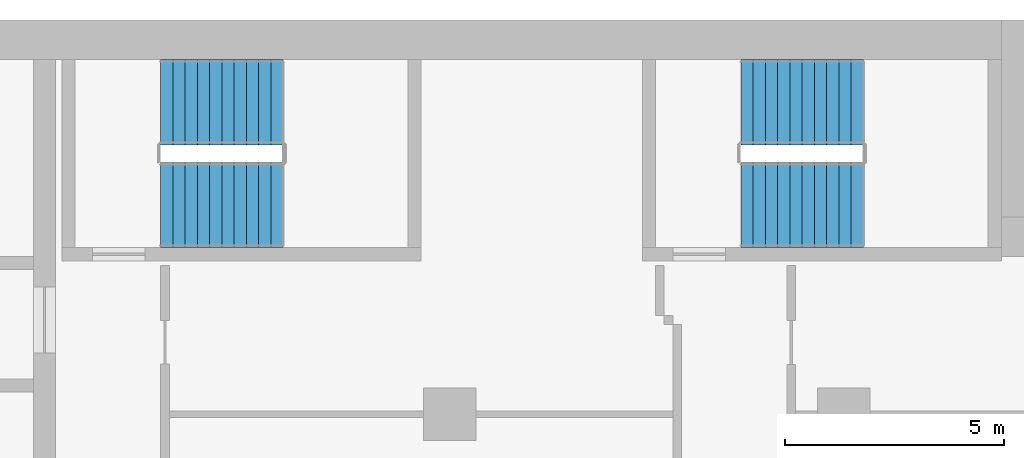
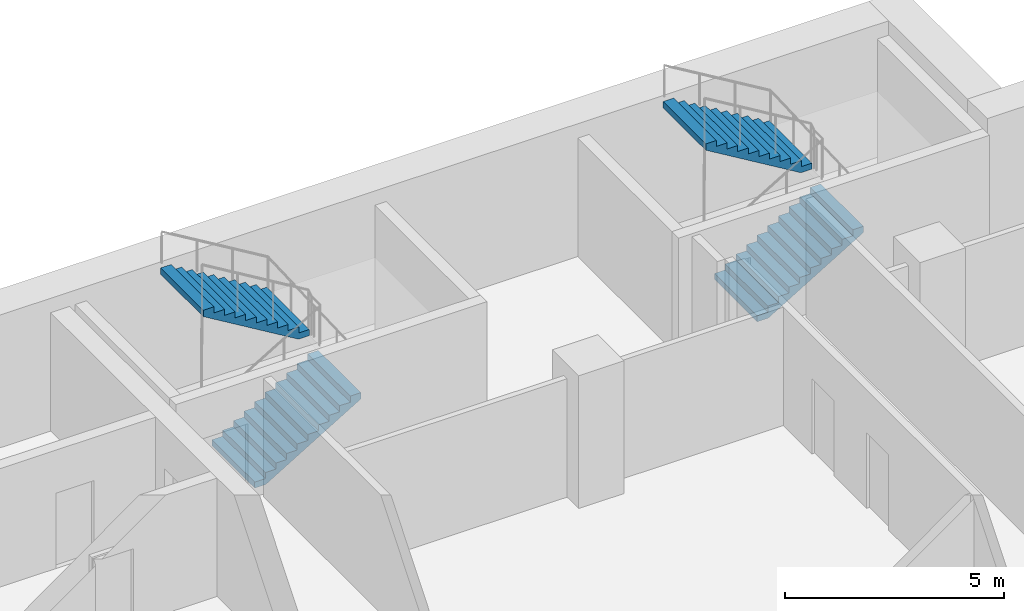
# One storey, part 18 of 23: 4 stair flights, 2 elements without a shape of their own.
"""IFC4 building model written with IfcOpenShell, lengths in metres."""

import ifcopenshell
import ifcopenshell.guid

model = None  # the IFC model being written
_history = None  # IfcOwnerHistory: only IFC2X3 demands one
_inside = {}  # id of a spatial element -> (the spatial element, [elements in it])
_under = {}  # id of a project, library or spatial element -> (it, [spatial elements below it])
_declared = {}  # id of a project -> (the project, [libraries it declares])
_typed = {}  # id of a type object -> (the type object, [elements of that type])
_made_of = {}  # id of a material, layer set ... -> (it, [elements and type objects made of it])


def new_model(schema):
    """Start an empty IFC model of exactly this schema.

    Asked for "IFC4X3", IfcOpenShell would pick the latest addendum, in which some entities
    have other attributes; the version numbers below select the first issue.
    IFC2X3 requires an IfcOwnerHistory on every rooted entity: one is made here for all.
    """
    global model, _history
    if schema == "IFC4X3":
        model = ifcopenshell.file(schema_version=(4, 3, 0, 0))
    else:
        model = ifcopenshell.file(schema=schema)
    _inside.clear()
    _under.clear()
    _declared.clear()
    _typed.clear()
    _made_of.clear()
    _history = None
    if model.schema == "IFC2X3":
        org = make("IfcOrganization", Name="unknown")
        user = make(
            "IfcPersonAndOrganization",
            ThePerson=make("IfcPerson", FamilyName="unknown"),
            TheOrganization=org,
        )
        app = make(
            "IfcApplication",
            ApplicationDeveloper=org,
            Version="unknown",
            ApplicationFullName="unknown",
            ApplicationIdentifier="unknown",
        )
        _history = make(
            "IfcOwnerHistory",
            OwningUser=user,
            OwningApplication=app,
            ChangeAction="ADDED",
            CreationDate=0,
        )
    return model


def make(cls, **values):
    """One entity of the class cls with the attributes given. An attribute that is None is left unset."""
    return model.create_entity(
        cls, **{name: value for name, value in values.items() if value is not None}
    )


def rooted(cls, **values):
    """An entity with a GlobalId (a new one), such as an element, a storey or a relation."""
    return make(cls, GlobalId=ifcopenshell.guid.new(), OwnerHistory=_history, **values)


def si_unit(unit_type, name, prefix=None):
    """IfcSIUnit, for example si_unit("LENGTHUNIT", "METRE", prefix="MILLI")."""
    return make("IfcSIUnit", UnitType=unit_type, Prefix=prefix, Name=name)


def assignment(units):
    """IfcUnitAssignment: the units of a project."""
    return None if units is None else make("IfcUnitAssignment", Units=units)


def point(xyz):
    """IfcCartesianPoint."""
    return None if xyz is None else make("IfcCartesianPoint", Coordinates=xyz)


def direction(xyz):
    """IfcDirection."""
    return None if xyz is None else make("IfcDirection", DirectionRatios=xyz)


def frame(location, z_axis=None, x_axis=None):
    """IfcAxis2Placement3D, a coordinate frame: its origin and axes. An axis left out is left unset."""
    return make(
        "IfcAxis2Placement3D",
        Location=point(location),
        Axis=direction(z_axis),
        RefDirection=direction(x_axis),
    )


def origin():
    """The frame at (0, 0, 0) with its axes left unset."""
    return frame((0.0, 0.0, 0.0))


def place(relative_to, where):
    """IfcLocalPlacement: puts the frame where relative to a parent placement (None: the world)."""
    return make(
        "IfcLocalPlacement", PlacementRelTo=relative_to, RelativePlacement=where
    )


def context(
    kind, dimensions, precision=None, world=None, true_north=None, identifier=None
):
    """IfcGeometricRepresentationContext, for example the 3D "Model" context."""
    return make(
        "IfcGeometricRepresentationContext",
        ContextIdentifier=identifier,
        ContextType=kind,
        CoordinateSpaceDimension=dimensions,
        Precision=precision,
        WorldCoordinateSystem=world,
        TrueNorth=true_north,
    )


def subcontext(parent, identifier, kind, view, scale=None):
    """IfcGeometricRepresentationSubContext, for example "Body" below "Model"."""
    return make(
        "IfcGeometricRepresentationSubContext",
        ContextIdentifier=identifier,
        ContextType=kind,
        ParentContext=parent,
        TargetScale=scale,
        TargetView=view,
    )


def project(units=None, contexts=None):
    """IfcProject with its units and contexts."""
    return rooted(
        "IfcProject",
        Name="project",
        RepresentationContexts=contexts,
        UnitsInContext=assignment(units),
    )


def spatial(cls, under=None, at=None, **own):
    """A site, building, storey or space (cls), placed at a placement, below another one or the project."""
    s = rooted(cls, ObjectPlacement=at, **own)
    if under is not None:
        _under.setdefault(under.id(), (under, []))[1].append(s)
    return s


def polyline(points):
    """IfcPolyline through the points."""
    return make("IfcPolyline", Points=[point(p) for p in points])


def outline(outer, holes=None, kind="AREA"):
    """IfcArbitraryClosedProfileDef: a profile drawn as a closed curve; with holes, ...WithVoids."""
    if holes is None:
        return make("IfcArbitraryClosedProfileDef", ProfileType=kind, OuterCurve=outer)
    return make(
        "IfcArbitraryProfileDefWithVoids",
        ProfileType=kind,
        OuterCurve=outer,
        InnerCurves=holes,
    )


def extrude(swept, where, along, depth):
    """IfcExtrudedAreaSolid: the profile swept, set in the frame where, extruded along a direction by depth."""
    return make(
        "IfcExtrudedAreaSolid",
        SweptArea=swept,
        Position=where,
        ExtrudedDirection=direction(along),
        Depth=depth,
    )


def shape(context_of_items, identifier, shape_type, items):
    """IfcShapeRepresentation: the items that make up one representation, for example the "Body"."""
    return make(
        "IfcShapeRepresentation",
        ContextOfItems=context_of_items,
        RepresentationIdentifier=identifier,
        RepresentationType=shape_type,
        Items=items,
    )


def material(Name=None, Category=None):
    """IfcMaterial."""
    return make("IfcMaterial", Name=Name, Category=Category)


def made_of(thing, what):
    """Note that an element or type object is made of a material, layer set ...; save() writes the relation."""
    if what is not None:
        _made_of.setdefault(what.id(), (what, []))[1].append(thing)
    return thing


def type_object(cls, material=None, **own):
    """A type object (cls), such as IfcWallType, which elements share."""
    return made_of(rooted(cls, **own), material)


def element(
    cls,
    number,
    at=None,
    inside=None,
    cuts=None,
    type_object=None,
    material=None,
    context=None,
    identifier="Body",
    shape_type=None,
    held_by="IfcProductDefinitionShape",
    body=None,
    shapes=None,
    **own,
):
    """One element of the class cls, such as IfcWall. Its Tag is "e" and its number.

    at: its placement. inside: the storey or other place that contains it. cuts: it is an
    opening in that element (IfcRelVoidsElement). A single representation is given by context,
    identifier, shape_type and body (its items); several are given by shapes. held_by: the class
    of the entity that holds the representations. save() writes the other relations.
    """
    e = rooted(cls, Tag="e%d" % number, ObjectPlacement=at, **own)
    if body is not None:
        shapes = [shape(context, identifier, shape_type, body)]
    if shapes is not None:
        e.Representation = make(held_by, Representations=shapes)
    if inside is not None:
        _inside.setdefault(inside.id(), (inside, []))[1].append(e)
    if cuts is not None:
        rooted(
            "IfcRelVoidsElement", RelatingBuildingElement=cuts, RelatedOpeningElement=e
        )
    if type_object is not None:
        _typed.setdefault(type_object.id(), (type_object, []))[1].append(e)
    return made_of(e, material)


def aggregate(whole, parts):
    """IfcRelAggregates: a whole, such as a stair, and the parts it consists of."""
    return rooted("IfcRelAggregates", RelatingObject=whole, RelatedObjects=parts)


def save(model, path):
    """Write the relations noted so far, then the file.

    IfcRelAggregates (storeys below a building ...), IfcRelContainedInSpatialStructure (elements
    in a storey), IfcRelDefinesByType, IfcRelAssociatesMaterial and IfcRelDeclares: one each for
    every whole, place, type object, material and project.
    """
    for whole, parts in _under.values():
        aggregate(whole, parts)
    for where, things in _inside.values():
        rooted(
            "IfcRelContainedInSpatialStructure",
            RelatedElements=things,
            RelatingStructure=where,
        )
    for kind, things in _typed.values():
        rooted("IfcRelDefinesByType", RelatedObjects=things, RelatingType=kind)
    for what, things in _made_of.values():
        rooted("IfcRelAssociatesMaterial", RelatedObjects=things, RelatingMaterial=what)
    for by, libraries in _declared.values():
        rooted("IfcRelDeclares", RelatingContext=by, RelatedDefinitions=libraries)
    model.write(path)


model = new_model("IFC4")

# Units and contexts
model_context = context("Model", 3, precision=1e-05, world=origin(), true_north=direction((0.0, 1.0)))
body_context = subcontext(model_context, "Body", "Model", "MODEL_VIEW")
ifc_project = project(units=[si_unit("LENGTHUNIT", "METRE"), si_unit("AREAUNIT", "SQUARE_METRE"), si_unit("VOLUMEUNIT", "CUBIC_METRE"), si_unit("PLANEANGLEUNIT", "RADIAN"), si_unit("MASSUNIT", "GRAM", prefix="KILO")], contexts=[model_context])

# Site, building, storey
site_placement = place(None, origin())
site = spatial("IfcSite", under=ifc_project, at=site_placement, CompositionType="ELEMENT")
building_placement = place(site_placement, origin())
building = spatial("IfcBuilding", under=site, at=building_placement, Name="Hunhe Ridgeline Campus", CompositionType="ELEMENT")
storey_placement = place(building_placement, frame((0.0, 0.0, 144.89990234375)))
storey = spatial("IfcBuildingStorey", under=building, at=storey_placement, Name="L36", CompositionType="ELEMENT", Elevation=144.89990234375)

# Stair, stair flights
ifc_material = material(Name="Concrete C40", Category="concrete")
stair_type = type_object("IfcStairType", Name="Reinforced concrete dog-leg stair 1950 Concrete C40", PredefinedType="HALF_TURN_STAIR", material=ifc_material)
stair_1_placement = place(storey_placement, origin())
stair_1 = element("IfcStair", 1, at=stair_1_placement, inside=storey, type_object=stair_type, Name="L36 E1", PredefinedType="HALF_TURN_STAIR")
stair_flight_type = type_object("IfcStairFlightType", Name="Reinforced concrete stair flight 1950 Concrete C40", PredefinedType="STRAIGHT", material=ifc_material)
stair_flight_1_placement = place(storey_placement, frame((38.39990234375, 94.77490234375, 0.0), z_axis=(0.0, 0.0, 1.0), x_axis=(1.0, 0.0, 0.0)))
stair_flight_1 = element("IfcStairFlight", 2, at=stair_flight_1_placement, type_object=stair_flight_type, Name="ST5 flight 1", NumberOfRisers=11, NumberOfTreads=10, PredefinedType="STRAIGHT", RiserHeight=0.168181818, TreadLength=0.28, context=body_context, shape_type="SweptSolid", body=[
    extrude(outline(polyline([(0.0, 0.0), (0.0, 0.168212890625), (0.280029296875, 0.168212890625), (0.280029296875, 0.33642578125), (0.56005859375, 0.33642578125), (0.56005859375, 0.504638671875), (0.840087890625, 0.504638671875), (0.840087890625, 0.672607421875), (1.1201171875, 0.672607421875), (1.1201171875, 0.8408203125), (1.39990234375, 0.8408203125), (1.39990234375, 1.009033203125), (1.679931640625, 1.009033203125), (1.679931640625, 1.17724609375), (1.9599609375, 1.17724609375), (1.9599609375, 1.345458984375), (2.239990234375, 1.345458984375), (2.239990234375, 1.513671875), (2.52001953125, 1.513671875), (2.52001953125, 1.681884765625), (2.800048828125, 1.681884765625), (2.800048828125, 1.85009765625), (2.800048828125, 1.5068359375), (0.291015625, 0.0), (0.0, 0.0)])), frame((0.0, 0.97509765625, 0.0), z_axis=(0.0, -1.0, 0.0), x_axis=(1.0, 0.0, 0.0)), (0.0, 0.0, 1.0), 1.949951171875),
    extrude(outline(polyline([(0.030029296875, 0.030029296875), (0.030029296875, 0.13818359375), (0.31005859375, 0.13818359375), (0.31005859375, 0.306396484375), (0.590087890625, 0.306396484375), (0.590087890625, 0.474609375), (0.8701171875, 0.474609375), (0.8701171875, 0.642578125), (1.14990234375, 0.642578125), (1.14990234375, 0.810791015625), (1.429931640625, 0.810791015625), (1.429931640625, 0.97900390625), (1.7099609375, 0.97900390625), (1.7099609375, 1.147216796875), (1.989990234375, 1.147216796875), (1.989990234375, 1.3154296875), (2.27001953125, 1.3154296875), (2.27001953125, 1.483642578125), (2.550048828125, 1.483642578125), (2.550048828125, 1.65185546875), (2.77001953125, 1.65185546875), (2.77001953125, 1.52392578125), (0.28271484375, 0.030029296875), (0.030029296875, 0.030029296875)])), frame((0.0, -0.070068359375, 0.0), z_axis=(0.0, -1.0, 0.0), x_axis=(1.0, 0.0, 0.0)), (0.0, 0.0, 1.0), 0.019775390625),
    extrude(outline(polyline([(0.030029296875, 0.030029296875), (0.030029296875, 0.13818359375), (0.31005859375, 0.13818359375), (0.31005859375, 0.306396484375), (0.590087890625, 0.306396484375), (0.590087890625, 0.474609375), (0.8701171875, 0.474609375), (0.8701171875, 0.642578125), (1.14990234375, 0.642578125), (1.14990234375, 0.810791015625), (1.429931640625, 0.810791015625), (1.429931640625, 0.97900390625), (1.7099609375, 0.97900390625), (1.7099609375, 1.147216796875), (1.989990234375, 1.147216796875), (1.989990234375, 1.3154296875), (2.27001953125, 1.3154296875), (2.27001953125, 1.483642578125), (2.550048828125, 1.483642578125), (2.550048828125, 1.65185546875), (2.77001953125, 1.65185546875), (2.77001953125, 1.52392578125), (0.28271484375, 0.030029296875), (0.030029296875, 0.030029296875)])), frame((0.0, 0.010009765625, 0.0), z_axis=(0.0, -1.0, 0.0), x_axis=(1.0, 0.0, 0.0)), (0.0, 0.0, 1.0), 0.019775390625),
    extrude(outline(polyline([(0.030029296875, 0.030029296875), (0.030029296875, 0.13818359375), (0.31005859375, 0.13818359375), (0.31005859375, 0.306396484375), (0.590087890625, 0.306396484375), (0.590087890625, 0.474609375), (0.8701171875, 0.474609375), (0.8701171875, 0.642578125), (1.14990234375, 0.642578125), (1.14990234375, 0.810791015625), (1.429931640625, 0.810791015625), (1.429931640625, 0.97900390625), (1.7099609375, 0.97900390625), (1.7099609375, 1.147216796875), (1.989990234375, 1.147216796875), (1.989990234375, 1.3154296875), (2.27001953125, 1.3154296875), (2.27001953125, 1.483642578125), (2.550048828125, 1.483642578125), (2.550048828125, 1.65185546875), (2.77001953125, 1.65185546875), (2.77001953125, 1.52392578125), (0.28271484375, 0.030029296875), (0.030029296875, 0.030029296875)])), frame((0.0, 0.090087890625, 0.0), z_axis=(0.0, -1.0, 0.0), x_axis=(1.0, 0.0, 0.0)), (0.0, 0.0, 1.0), 0.019775390625),
])
stair_flight_2_placement = place(storey_placement, frame((41.199951171875, 97.125, 1.85009765625), z_axis=(0.0, 0.0, 1.0), x_axis=(-1.0, 0.0, 0.0)))
stair_flight_2 = element("IfcStairFlight", 3, at=stair_flight_2_placement, type_object=stair_flight_type, Name="ST5 flight 2", NumberOfRisers=11, NumberOfTreads=10, PredefinedType="STRAIGHT", RiserHeight=0.168181818, TreadLength=0.28, context=body_context, shape_type="SweptSolid", body=[
    extrude(outline(polyline([(0.0, 0.0), (0.0, 0.168212890625), (0.280029296875, 0.168212890625), (0.280029296875, 0.33642578125), (0.56005859375, 0.33642578125), (0.56005859375, 0.504638671875), (0.840087890625, 0.504638671875), (0.840087890625, 0.672607421875), (1.1201171875, 0.672607421875), (1.1201171875, 0.8408203125), (1.39990234375, 0.8408203125), (1.39990234375, 1.009033203125), (1.679931640625, 1.009033203125), (1.679931640625, 1.17724609375), (1.9599609375, 1.17724609375), (1.9599609375, 1.345458984375), (2.239990234375, 1.345458984375), (2.239990234375, 1.513671875), (2.52001953125, 1.513671875), (2.52001953125, 1.681884765625), (2.800048828125, 1.681884765625), (2.800048828125, 1.85009765625), (2.800048828125, 1.5068359375), (0.291015625, 0.0), (0.0, 0.0)])), frame((0.0, 0.97509765625, 0.0), z_axis=(0.0, -1.0, 0.0), x_axis=(1.0, 0.0, 0.0)), (0.0, 0.0, 1.0), 1.949951171875),
    extrude(outline(polyline([(0.030029296875, 0.030029296875), (0.030029296875, 0.13818359375), (0.31005859375, 0.13818359375), (0.31005859375, 0.306396484375), (0.590087890625, 0.306396484375), (0.590087890625, 0.474609375), (0.8701171875, 0.474609375), (0.8701171875, 0.642578125), (1.14990234375, 0.642578125), (1.14990234375, 0.810791015625), (1.429931640625, 0.810791015625), (1.429931640625, 0.97900390625), (1.7099609375, 0.97900390625), (1.7099609375, 1.147216796875), (1.989990234375, 1.147216796875), (1.989990234375, 1.3154296875), (2.27001953125, 1.3154296875), (2.27001953125, 1.483642578125), (2.550048828125, 1.483642578125), (2.550048828125, 1.65185546875), (2.77001953125, 1.65185546875), (2.77001953125, 1.52392578125), (0.28271484375, 0.030029296875), (0.030029296875, 0.030029296875)])), frame((0.0, -0.070068359375, 0.0), z_axis=(0.0, -1.0, 0.0), x_axis=(1.0, 0.0, 0.0)), (0.0, 0.0, 1.0), 0.019775390625),
    extrude(outline(polyline([(0.030029296875, 0.030029296875), (0.030029296875, 0.13818359375), (0.31005859375, 0.13818359375), (0.31005859375, 0.306396484375), (0.590087890625, 0.306396484375), (0.590087890625, 0.474609375), (0.8701171875, 0.474609375), (0.8701171875, 0.642578125), (1.14990234375, 0.642578125), (1.14990234375, 0.810791015625), (1.429931640625, 0.810791015625), (1.429931640625, 0.97900390625), (1.7099609375, 0.97900390625), (1.7099609375, 1.147216796875), (1.989990234375, 1.147216796875), (1.989990234375, 1.3154296875), (2.27001953125, 1.3154296875), (2.27001953125, 1.483642578125), (2.550048828125, 1.483642578125), (2.550048828125, 1.65185546875), (2.77001953125, 1.65185546875), (2.77001953125, 1.52392578125), (0.28271484375, 0.030029296875), (0.030029296875, 0.030029296875)])), frame((0.0, 0.010009765625, 0.0), z_axis=(0.0, -1.0, 0.0), x_axis=(1.0, 0.0, 0.0)), (0.0, 0.0, 1.0), 0.019775390625),
    extrude(outline(polyline([(0.030029296875, 0.030029296875), (0.030029296875, 0.13818359375), (0.31005859375, 0.13818359375), (0.31005859375, 0.306396484375), (0.590087890625, 0.306396484375), (0.590087890625, 0.474609375), (0.8701171875, 0.474609375), (0.8701171875, 0.642578125), (1.14990234375, 0.642578125), (1.14990234375, 0.810791015625), (1.429931640625, 0.810791015625), (1.429931640625, 0.97900390625), (1.7099609375, 0.97900390625), (1.7099609375, 1.147216796875), (1.989990234375, 1.147216796875), (1.989990234375, 1.3154296875), (2.27001953125, 1.3154296875), (2.27001953125, 1.483642578125), (2.550048828125, 1.483642578125), (2.550048828125, 1.65185546875), (2.77001953125, 1.65185546875), (2.77001953125, 1.52392578125), (0.28271484375, 0.030029296875), (0.030029296875, 0.030029296875)])), frame((0.0, 0.090087890625, 0.0), z_axis=(0.0, -1.0, 0.0), x_axis=(1.0, 0.0, 0.0)), (0.0, 0.0, 1.0), 0.019775390625),
])
aggregate(stair_1, [stair_flight_1, stair_flight_2])

stair_2_placement = place(storey_placement, origin())
stair_2 = element("IfcStair", 4, at=stair_2_placement, inside=storey, type_object=stair_type, Name="L36 E2", PredefinedType="HALF_TURN_STAIR")
stair_flight_3_placement = place(storey_placement, frame((51.64990234375, 94.77490234375, 0.0), z_axis=(0.0, 0.0, 1.0), x_axis=(1.0, 0.0, 0.0)))
stair_flight_3 = element("IfcStairFlight", 5, at=stair_flight_3_placement, type_object=stair_flight_type, Name="ST6 flight 1", NumberOfRisers=11, NumberOfTreads=10, PredefinedType="STRAIGHT", RiserHeight=0.168181818, TreadLength=0.28, context=body_context, shape_type="SweptSolid", body=[
    extrude(outline(polyline([(0.0, 0.0), (0.0, 0.168212890625), (0.280029296875, 0.168212890625), (0.280029296875, 0.33642578125), (0.56005859375, 0.33642578125), (0.56005859375, 0.504638671875), (0.840087890625, 0.504638671875), (0.840087890625, 0.672607421875), (1.1201171875, 0.672607421875), (1.1201171875, 0.8408203125), (1.39990234375, 0.8408203125), (1.39990234375, 1.009033203125), (1.679931640625, 1.009033203125), (1.679931640625, 1.17724609375), (1.9599609375, 1.17724609375), (1.9599609375, 1.345458984375), (2.239990234375, 1.345458984375), (2.239990234375, 1.513671875), (2.52001953125, 1.513671875), (2.52001953125, 1.681884765625), (2.800048828125, 1.681884765625), (2.800048828125, 1.85009765625), (2.800048828125, 1.5068359375), (0.291015625, 0.0), (0.0, 0.0)])), frame((0.0, 0.97509765625, 0.0), z_axis=(0.0, -1.0, 0.0), x_axis=(1.0, 0.0, 0.0)), (0.0, 0.0, 1.0), 1.949951171875),
    extrude(outline(polyline([(0.030029296875, 0.030029296875), (0.030029296875, 0.13818359375), (0.31005859375, 0.13818359375), (0.31005859375, 0.306396484375), (0.590087890625, 0.306396484375), (0.590087890625, 0.474609375), (0.8701171875, 0.474609375), (0.8701171875, 0.642578125), (1.14990234375, 0.642578125), (1.14990234375, 0.810791015625), (1.429931640625, 0.810791015625), (1.429931640625, 0.97900390625), (1.7099609375, 0.97900390625), (1.7099609375, 1.147216796875), (1.989990234375, 1.147216796875), (1.989990234375, 1.3154296875), (2.27001953125, 1.3154296875), (2.27001953125, 1.483642578125), (2.550048828125, 1.483642578125), (2.550048828125, 1.65185546875), (2.77001953125, 1.65185546875), (2.77001953125, 1.52392578125), (0.28271484375, 0.030029296875), (0.030029296875, 0.030029296875)])), frame((0.0, -0.070068359375, 0.0), z_axis=(0.0, -1.0, 0.0), x_axis=(1.0, 0.0, 0.0)), (0.0, 0.0, 1.0), 0.019775390625),
    extrude(outline(polyline([(0.030029296875, 0.030029296875), (0.030029296875, 0.13818359375), (0.31005859375, 0.13818359375), (0.31005859375, 0.306396484375), (0.590087890625, 0.306396484375), (0.590087890625, 0.474609375), (0.8701171875, 0.474609375), (0.8701171875, 0.642578125), (1.14990234375, 0.642578125), (1.14990234375, 0.810791015625), (1.429931640625, 0.810791015625), (1.429931640625, 0.97900390625), (1.7099609375, 0.97900390625), (1.7099609375, 1.147216796875), (1.989990234375, 1.147216796875), (1.989990234375, 1.3154296875), (2.27001953125, 1.3154296875), (2.27001953125, 1.483642578125), (2.550048828125, 1.483642578125), (2.550048828125, 1.65185546875), (2.77001953125, 1.65185546875), (2.77001953125, 1.52392578125), (0.28271484375, 0.030029296875), (0.030029296875, 0.030029296875)])), frame((0.0, 0.010009765625, 0.0), z_axis=(0.0, -1.0, 0.0), x_axis=(1.0, 0.0, 0.0)), (0.0, 0.0, 1.0), 0.019775390625),
    extrude(outline(polyline([(0.030029296875, 0.030029296875), (0.030029296875, 0.13818359375), (0.31005859375, 0.13818359375), (0.31005859375, 0.306396484375), (0.590087890625, 0.306396484375), (0.590087890625, 0.474609375), (0.8701171875, 0.474609375), (0.8701171875, 0.642578125), (1.14990234375, 0.642578125), (1.14990234375, 0.810791015625), (1.429931640625, 0.810791015625), (1.429931640625, 0.97900390625), (1.7099609375, 0.97900390625), (1.7099609375, 1.147216796875), (1.989990234375, 1.147216796875), (1.989990234375, 1.3154296875), (2.27001953125, 1.3154296875), (2.27001953125, 1.483642578125), (2.550048828125, 1.483642578125), (2.550048828125, 1.65185546875), (2.77001953125, 1.65185546875), (2.77001953125, 1.52392578125), (0.28271484375, 0.030029296875), (0.030029296875, 0.030029296875)])), frame((0.0, 0.090087890625, 0.0), z_axis=(0.0, -1.0, 0.0), x_axis=(1.0, 0.0, 0.0)), (0.0, 0.0, 1.0), 0.019775390625),
])
stair_flight_4_placement = place(storey_placement, frame((54.449951171875, 97.125, 1.85009765625), z_axis=(0.0, 0.0, 1.0), x_axis=(-1.0, 0.0, 0.0)))
stair_flight_4 = element("IfcStairFlight", 6, at=stair_flight_4_placement, type_object=stair_flight_type, Name="ST6 flight 2", NumberOfRisers=11, NumberOfTreads=10, PredefinedType="STRAIGHT", RiserHeight=0.168181818, TreadLength=0.28, context=body_context, shape_type="SweptSolid", body=[
    extrude(outline(polyline([(0.0, 0.0), (0.0, 0.168212890625), (0.280029296875, 0.168212890625), (0.280029296875, 0.33642578125), (0.56005859375, 0.33642578125), (0.56005859375, 0.504638671875), (0.840087890625, 0.504638671875), (0.840087890625, 0.672607421875), (1.1201171875, 0.672607421875), (1.1201171875, 0.8408203125), (1.39990234375, 0.8408203125), (1.39990234375, 1.009033203125), (1.679931640625, 1.009033203125), (1.679931640625, 1.17724609375), (1.9599609375, 1.17724609375), (1.9599609375, 1.345458984375), (2.239990234375, 1.345458984375), (2.239990234375, 1.513671875), (2.52001953125, 1.513671875), (2.52001953125, 1.681884765625), (2.800048828125, 1.681884765625), (2.800048828125, 1.85009765625), (2.800048828125, 1.5068359375), (0.291015625, 0.0), (0.0, 0.0)])), frame((0.0, 0.97509765625, 0.0), z_axis=(0.0, -1.0, 0.0), x_axis=(1.0, 0.0, 0.0)), (0.0, 0.0, 1.0), 1.949951171875),
    extrude(outline(polyline([(0.030029296875, 0.030029296875), (0.030029296875, 0.13818359375), (0.31005859375, 0.13818359375), (0.31005859375, 0.306396484375), (0.590087890625, 0.306396484375), (0.590087890625, 0.474609375), (0.8701171875, 0.474609375), (0.8701171875, 0.642578125), (1.14990234375, 0.642578125), (1.14990234375, 0.810791015625), (1.429931640625, 0.810791015625), (1.429931640625, 0.97900390625), (1.7099609375, 0.97900390625), (1.7099609375, 1.147216796875), (1.989990234375, 1.147216796875), (1.989990234375, 1.3154296875), (2.27001953125, 1.3154296875), (2.27001953125, 1.483642578125), (2.550048828125, 1.483642578125), (2.550048828125, 1.65185546875), (2.77001953125, 1.65185546875), (2.77001953125, 1.52392578125), (0.28271484375, 0.030029296875), (0.030029296875, 0.030029296875)])), frame((0.0, -0.070068359375, 0.0), z_axis=(0.0, -1.0, 0.0), x_axis=(1.0, 0.0, 0.0)), (0.0, 0.0, 1.0), 0.019775390625),
    extrude(outline(polyline([(0.030029296875, 0.030029296875), (0.030029296875, 0.13818359375), (0.31005859375, 0.13818359375), (0.31005859375, 0.306396484375), (0.590087890625, 0.306396484375), (0.590087890625, 0.474609375), (0.8701171875, 0.474609375), (0.8701171875, 0.642578125), (1.14990234375, 0.642578125), (1.14990234375, 0.810791015625), (1.429931640625, 0.810791015625), (1.429931640625, 0.97900390625), (1.7099609375, 0.97900390625), (1.7099609375, 1.147216796875), (1.989990234375, 1.147216796875), (1.989990234375, 1.3154296875), (2.27001953125, 1.3154296875), (2.27001953125, 1.483642578125), (2.550048828125, 1.483642578125), (2.550048828125, 1.65185546875), (2.77001953125, 1.65185546875), (2.77001953125, 1.52392578125), (0.28271484375, 0.030029296875), (0.030029296875, 0.030029296875)])), frame((0.0, 0.010009765625, 0.0), z_axis=(0.0, -1.0, 0.0), x_axis=(1.0, 0.0, 0.0)), (0.0, 0.0, 1.0), 0.019775390625),
    extrude(outline(polyline([(0.030029296875, 0.030029296875), (0.030029296875, 0.13818359375), (0.31005859375, 0.13818359375), (0.31005859375, 0.306396484375), (0.590087890625, 0.306396484375), (0.590087890625, 0.474609375), (0.8701171875, 0.474609375), (0.8701171875, 0.642578125), (1.14990234375, 0.642578125), (1.14990234375, 0.810791015625), (1.429931640625, 0.810791015625), (1.429931640625, 0.97900390625), (1.7099609375, 0.97900390625), (1.7099609375, 1.147216796875), (1.989990234375, 1.147216796875), (1.989990234375, 1.3154296875), (2.27001953125, 1.3154296875), (2.27001953125, 1.483642578125), (2.550048828125, 1.483642578125), (2.550048828125, 1.65185546875), (2.77001953125, 1.65185546875), (2.77001953125, 1.52392578125), (0.28271484375, 0.030029296875), (0.030029296875, 0.030029296875)])), frame((0.0, 0.090087890625, 0.0), z_axis=(0.0, -1.0, 0.0), x_axis=(1.0, 0.0, 0.0)), (0.0, 0.0, 1.0), 0.019775390625),
])
aggregate(stair_2, [stair_flight_3, stair_flight_4])

save(model, "model.ifc")
